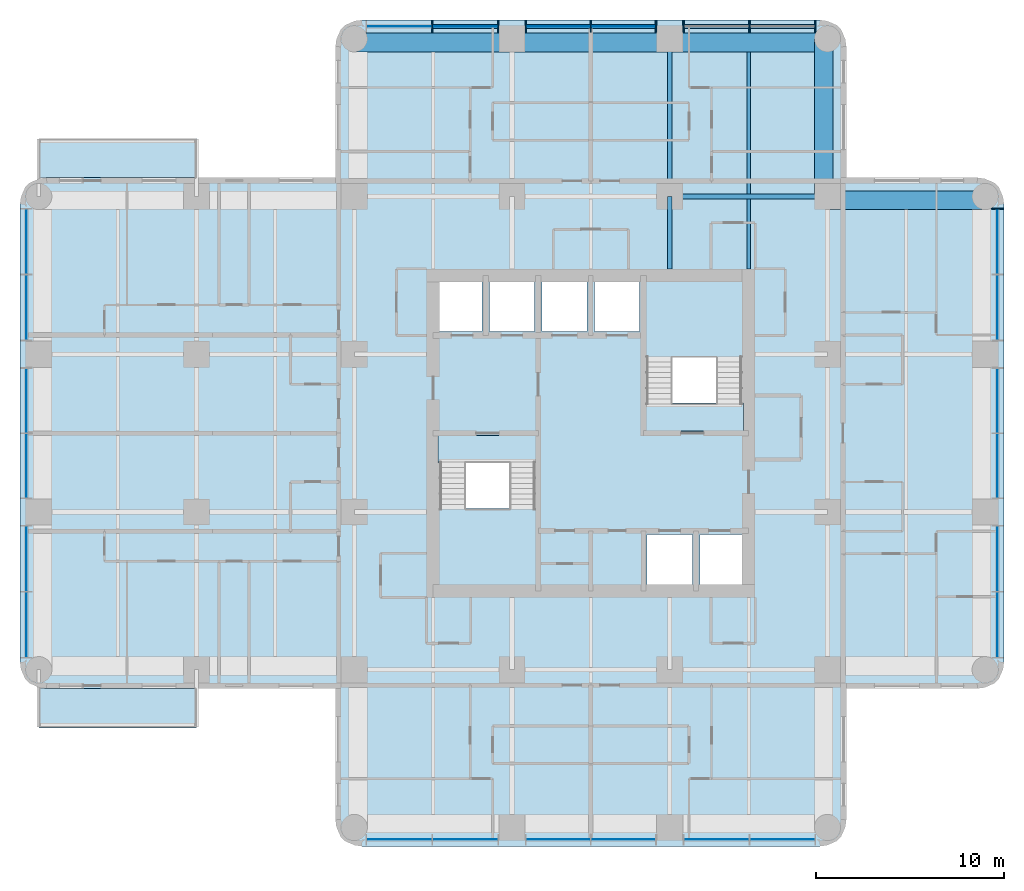
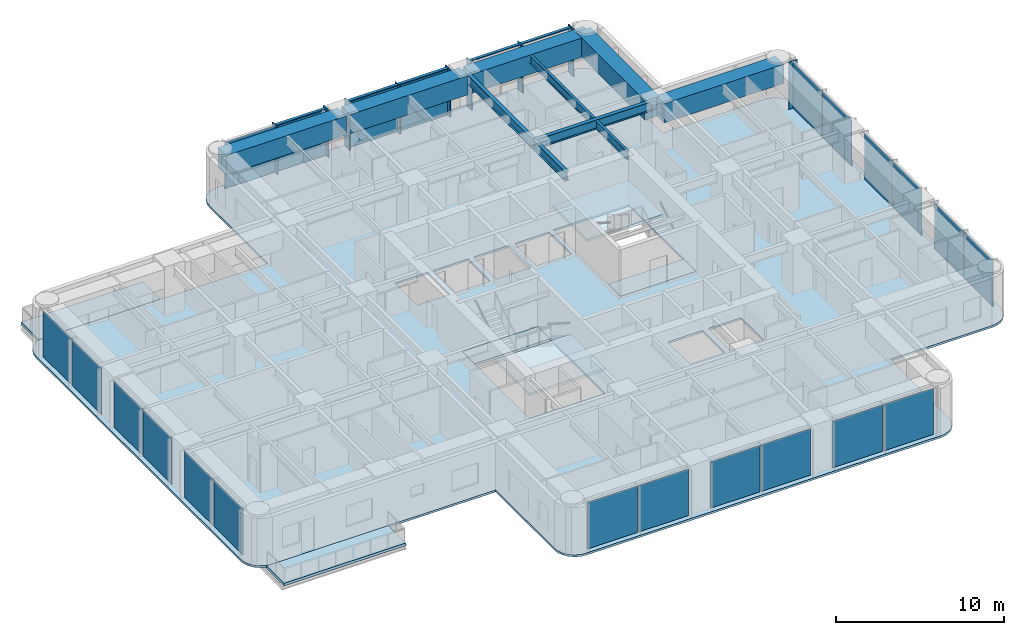
# One storey, part 3 of 11: 22 plates, 14 members, 10 beams, 7 slabs, 6 elements without a shape of their own.
"""IFC4 building model written with IfcOpenShell, lengths in metres."""

from ifc_helpers import new_model, si_unit, direction, frame, origin, origin_2d, place, context, subcontext, project, spatial, polyline, rectangle, i_section, outline, extrude, material, layer, layer_set, material_profile, profile_set, type_object, element, aggregate, save


model = new_model("IFC4")

# Units and contexts
model_context = context("Model", 3, precision=1e-05, world=origin(), true_north=direction((0.0, 1.0)))
body_context = subcontext(model_context, "Body", "Model", "MODEL_VIEW")
ifc_project = project(units=[si_unit("LENGTHUNIT", "METRE"), si_unit("AREAUNIT", "SQUARE_METRE"), si_unit("VOLUMEUNIT", "CUBIC_METRE"), si_unit("PLANEANGLEUNIT", "RADIAN"), si_unit("MASSUNIT", "GRAM", prefix="KILO")], contexts=[model_context])

# Site, building, storey
site_placement = place(None, origin())
site = spatial("IfcSite", under=ifc_project, at=site_placement, CompositionType="ELEMENT")
building_placement = place(site_placement, origin())
building = spatial("IfcBuilding", under=site, at=building_placement, Name="Torre Alcanfor", CompositionType="ELEMENT")
storey_placement = place(building_placement, frame((0.0, 0.0, 215.699951171875)))
storey = spatial("IfcBuildingStorey", under=building, at=storey_placement, Name="L56", CompositionType="ELEMENT", Elevation=215.699951171875)

# Curtain wall, member
ifc_material_1 = material(Name="Aluminium and glass", Category="aluminium")
curtain_wall_type = type_object("IfcCurtainWallType", Name="CW-A unitised apartment glazing with vertical FIN", PredefinedType="NOTDEFINED", material=ifc_material_1)
curtain_wall_1_placement = place(storey_placement, origin())
curtain_wall_1 = element("IfcCurtainWall", 1, at=curtain_wall_1_placement, inside=storey, type_object=curtain_wall_type, Name="Curtain wall CW-A L56 8", PredefinedType="NOTDEFINED")
ifc_material_2 = material(Name="Bronze anodised aluminium", Category="aluminium")
ifc_material_profile_1 = material_profile(ifc_material_2, rectangle(XDim=0.60009765625, YDim=0.06494140625, at=origin_2d()), Name="CW-A mullion 65x600")
ifc_profile_set_1 = profile_set([ifc_material_profile_1], Name="Bronze anodised aluminium")
member_type_1 = type_object("IfcMemberType", Name="CW-A mullion with vertical FIN 65x600", PredefinedType="MULLION", material=ifc_profile_set_1)
member_1_placement = place(storey_placement, frame((51.050048828125, 41.35546875, 0.0), z_axis=(0.0, 0.0, 1.0), x_axis=(-1.0, 0.0, 0.0)))
member_1 = element("IfcMember", 2, at=member_1_placement, type_object=member_type_1, Name="CW-A mullion 3.3", PredefinedType="MULLION", context=body_context, shape_type="SweptSolid", body=[
    extrude(rectangle(XDim=0.60009765625, YDim=0.06494140625, at=origin_2d()), origin(), (0.0, 0.0, 1.0), 3.449951171875),
])

# Curtain wall, members
curtain_wall_2_placement = place(storey_placement, origin())
curtain_wall_2 = element("IfcCurtainWall", 3, at=curtain_wall_2_placement, inside=storey, type_object=curtain_wall_type, Name="Curtain wall CW-A L56 11", PredefinedType="NOTDEFINED")
member_2_placement = place(storey_placement, frame((41.35546875, 51.050048828125, 0.0), z_axis=(0.0, 0.0, 1.0), x_axis=(0.0, -1.0, 0.0)))
member_2 = element("IfcMember", 4, at=member_2_placement, type_object=member_type_1, Name="CW-A mullion 1.1", PredefinedType="MULLION", context=body_context, shape_type="SweptSolid", body=[
    extrude(rectangle(XDim=0.60009765625, YDim=0.06494140625, at=origin_2d()), origin(), (0.0, 0.0, 1.0), 3.449951171875),
])
member_3_placement = place(storey_placement, frame((37.846435546875, 51.050048828125, 0.0), z_axis=(0.0, 0.0, 1.0), x_axis=(0.0, -1.0, 0.0)))
member_3 = element("IfcMember", 5, at=member_3_placement, type_object=member_type_1, Name="CW-A mullion 1.2", PredefinedType="MULLION", context=body_context, shape_type="SweptSolid", body=[
    extrude(rectangle(XDim=0.60009765625, YDim=0.06494140625, at=origin_2d()), origin(), (0.0, 0.0, 1.0), 3.449951171875),
])
member_4_placement = place(storey_placement, frame((34.33740234375, 51.050048828125, 0.0), z_axis=(0.0, 0.0, 1.0), x_axis=(0.0, -1.0, 0.0)))
member_4 = element("IfcMember", 6, at=member_4_placement, type_object=member_type_1, Name="CW-A mullion 1.3", PredefinedType="MULLION", context=body_context, shape_type="SweptSolid", body=[
    extrude(rectangle(XDim=0.60009765625, YDim=0.06494140625, at=origin_2d()), origin(), (0.0, 0.0, 1.0), 3.449951171875),
])
member_5_placement = place(storey_placement, frame((32.862548828125, 51.050048828125, 0.0), z_axis=(0.0, 0.0, 1.0), x_axis=(0.0, -1.0, 0.0)))
member_5 = element("IfcMember", 7, at=member_5_placement, type_object=member_type_1, Name="CW-A mullion 2.1", PredefinedType="MULLION", context=body_context, shape_type="SweptSolid", body=[
    extrude(rectangle(XDim=0.60009765625, YDim=0.06494140625, at=origin_2d()), origin(), (0.0, 0.0, 1.0), 3.449951171875),
])
member_6_placement = place(storey_placement, frame((29.39990234375, 51.050048828125, 0.0), z_axis=(0.0, 0.0, 1.0), x_axis=(0.0, -1.0, 0.0)))
member_6 = element("IfcMember", 8, at=member_6_placement, type_object=member_type_1, Name="CW-A mullion 2.2", PredefinedType="MULLION", context=body_context, shape_type="SweptSolid", body=[
    extrude(rectangle(XDim=0.60009765625, YDim=0.06494140625, at=origin_2d()), origin(), (0.0, 0.0, 1.0), 3.449951171875),
])
member_7_placement = place(storey_placement, frame((25.9375, 51.050048828125, 0.0), z_axis=(0.0, 0.0, 1.0), x_axis=(0.0, -1.0, 0.0)))
member_7 = element("IfcMember", 9, at=member_7_placement, type_object=member_type_1, Name="CW-A mullion 2.3", PredefinedType="MULLION", context=body_context, shape_type="SweptSolid", body=[
    extrude(rectangle(XDim=0.60009765625, YDim=0.06494140625, at=origin_2d()), origin(), (0.0, 0.0, 1.0), 3.449951171875),
])
member_8_placement = place(storey_placement, frame((24.46240234375, 51.050048828125, 0.0), z_axis=(0.0, 0.0, 1.0), x_axis=(0.0, -1.0, 0.0)))
member_8 = element("IfcMember", 10, at=member_8_placement, type_object=member_type_1, Name="CW-A mullion 3.1", PredefinedType="MULLION", context=body_context, shape_type="SweptSolid", body=[
    extrude(rectangle(XDim=0.60009765625, YDim=0.06494140625, at=origin_2d()), origin(), (0.0, 0.0, 1.0), 3.449951171875),
])
member_9_placement = place(storey_placement, frame((20.95361328125, 51.050048828125, 0.0), z_axis=(0.0, 0.0, 1.0), x_axis=(0.0, -1.0, 0.0)))
member_9 = element("IfcMember", 11, at=member_9_placement, type_object=member_type_1, Name="CW-A mullion 3.2", PredefinedType="MULLION", context=body_context, shape_type="SweptSolid", body=[
    extrude(rectangle(XDim=0.60009765625, YDim=0.06494140625, at=origin_2d()), origin(), (0.0, 0.0, 1.0), 3.449951171875),
])
ifc_material_3 = material(Name="Extruded aluminium", Category="aluminium")
ifc_material_profile_2 = material_profile(ifc_material_3, rectangle(XDim=0.199951171875, YDim=0.06494140625, at=origin_2d()), Name="CW-A transom 200x65")
ifc_profile_set_2 = profile_set([ifc_material_profile_2], Name="Extruded aluminium")
member_type_2 = type_object("IfcMemberType", Name="CW-A transom 65x200", PredefinedType="USERDEFINED", material=ifc_profile_set_2)
member_10_placement = place(storey_placement, frame((41.322998046875, 51.050048828125, 3.41748046875), z_axis=(-1.0, 0.0, 0.0), x_axis=(0.0, -1.0, 0.0)))
member_10 = element("IfcMember", 12, at=member_10_placement, type_object=member_type_2, Name="CW-A transom 1.1.2", ObjectType="TRANSOM", PredefinedType="USERDEFINED", context=body_context, shape_type="SweptSolid", body=[
    extrude(rectangle(XDim=0.199951171875, YDim=0.06494140625, at=origin_2d()), origin(), (0.0, 0.0, 1.0), 3.444091796875),
])
member_11_placement = place(storey_placement, frame((37.81396484375, 51.050048828125, 3.41748046875), z_axis=(-1.0, 0.0, 0.0), x_axis=(0.0, -1.0, 0.0)))
member_11 = element("IfcMember", 13, at=member_11_placement, type_object=member_type_2, Name="CW-A transom 1.2.2", ObjectType="TRANSOM", PredefinedType="USERDEFINED", context=body_context, shape_type="SweptSolid", body=[
    extrude(rectangle(XDim=0.199951171875, YDim=0.06494140625, at=origin_2d()), origin(), (0.0, 0.0, 1.0), 3.44384765625),
])
member_12_placement = place(storey_placement, frame((32.830078125, 51.050048828125, 3.41748046875), z_axis=(-1.0, 0.0, 0.0), x_axis=(0.0, -1.0, 0.0)))
member_12 = element("IfcMember", 14, at=member_12_placement, type_object=member_type_2, Name="CW-A transom 2.1.2", ObjectType="TRANSOM", PredefinedType="USERDEFINED", context=body_context, shape_type="SweptSolid", body=[
    extrude(rectangle(XDim=0.199951171875, YDim=0.06494140625, at=origin_2d()), origin(), (0.0, 0.0, 1.0), 3.3974609375),
])
member_13_placement = place(storey_placement, frame((29.367431640625, 51.050048828125, 3.41748046875), z_axis=(-1.0, 0.0, 0.0), x_axis=(0.0, -1.0, 0.0)))
member_13 = element("IfcMember", 15, at=member_13_placement, type_object=member_type_2, Name="CW-A transom 2.2.2", ObjectType="TRANSOM", PredefinedType="USERDEFINED", context=body_context, shape_type="SweptSolid", body=[
    extrude(rectangle(XDim=0.199951171875, YDim=0.06494140625, at=origin_2d()), origin(), (0.0, 0.0, 1.0), 3.3974609375),
])
member_14_placement = place(storey_placement, frame((24.429931640625, 51.050048828125, 3.41748046875), z_axis=(-1.0, 0.0, 0.0), x_axis=(0.0, -1.0, 0.0)))
member_14 = element("IfcMember", 16, at=member_14_placement, type_object=member_type_2, Name="CW-A transom 3.1.2", ObjectType="TRANSOM", PredefinedType="USERDEFINED", context=body_context, shape_type="SweptSolid", body=[
    extrude(rectangle(XDim=0.199951171875, YDim=0.06494140625, at=origin_2d()), origin(), (0.0, 0.0, 1.0), 3.44384765625),
])

# Beams
ifc_material_4 = material(Name="Steel ASTM A992 Grade 50", Category="steel")
ifc_material_profile_3 = material_profile(ifc_material_4, i_section(OverallWidth=0.25390625, OverallDepth=0.683349609375, WebThickness=0.012451171875, FlangeThickness=0.01904296875, at=origin_2d()), Name="W27x94")
ifc_profile_set_3 = profile_set([ifc_material_profile_3], Name="Steel ASTM A992 Grade 50")
beam_type_1 = type_object("IfcBeamType", Name="Girder W27x94", PredefinedType="BEAM", material=ifc_profile_set_3)
for number, where, z_axis, x_axis, name in (
    (17, (33.60009765625, 42.0, 3.1083984375), (1.0, 0.0, 0.0), (0.0, 1.0, 0.0), "Beam 5H-6H under L57"),
    (18, (33.60009765625, 42.0, 3.1083984375), (0.0, 1.0, 0.0), (-1.0, 0.0, 0.0), "Beam 5H-5J under L57"),
):
    element("IfcBeam", number, at=place(storey_placement, frame(where, z_axis=z_axis, x_axis=x_axis)), inside=storey, type_object=beam_type_1, Name=name, PredefinedType="BEAM", context=body_context, shape_type="SweptSolid", body=[
        extrude(i_section(OverallWidth=0.25390625, OverallDepth=0.683349609375, WebThickness=0.012451171875, FlangeThickness=0.01904296875, at=origin_2d()), origin(), (0.0, 0.0, 1.0), 8.39990234375),
    ])
ifc_material_5 = material(Name="Steel ASTM A992 Grade 50", Category="steel")
ifc_material_profile_4 = material_profile(ifc_material_5, i_section(OverallWidth=0.25390625, OverallDepth=0.683349609375, WebThickness=0.012451171875, FlangeThickness=0.01904296875, at=origin_2d()), Name="W27x94")
ifc_profile_set_4 = profile_set([ifc_material_profile_4], Name="Steel ASTM A992 Grade 50")
beam_type_2 = type_object("IfcBeamType", Name="Girder, part bay W27x94", PredefinedType="BEAM", material=ifc_profile_set_4)
beam_1_placement = place(storey_placement, frame((33.60009765625, 42.0, 3.1083984375), z_axis=(0.0, -1.0, 0.0), x_axis=(1.0, 0.0, 0.0)))
element("IfcBeam", 19, at=beam_1_placement, inside=storey, type_object=beam_type_2, Name="Beam 5H-538_15 under L57", PredefinedType="BEAM", context=body_context, shape_type="SweptSolid", body=[
    extrude(i_section(OverallWidth=0.25390625, OverallDepth=0.683349609375, WebThickness=0.012451171875, FlangeThickness=0.01904296875, at=origin_2d()), origin(), (0.0, 0.0, 1.0), 3.85009765625),
])
ifc_material_6 = material(Name="Concrete f'c 70 MPa", Category="concrete")
ifc_material_profile_5 = material_profile(ifc_material_6, rectangle(XDim=1.0, YDim=1.39990234375, at=origin_2d()), Name="1000x1400")
ifc_profile_set_5 = profile_set([ifc_material_profile_5], Name="Concrete f'c 70 MPa")
beam_type_3 = type_object("IfcBeamType", Name="RC perimeter beam 1000x1400", PredefinedType="BEAM", material=ifc_profile_set_5)
for number, where, z_axis, x_axis, name in (
    (20, (42.126953125, 41.800048828125, 2.75), (1.0, 0.0, 0.0), (0.0, 1.0, 0.0), "Beam 6H-7H under L57"),
    (21, (16.800048828125, 50.199951171875, 2.75), (1.0, 0.0, 0.0), (0.0, 1.0, 0.0), "Beam 3J-4J under L57"),
):
    element("IfcBeam", number, at=place(storey_placement, frame(where, z_axis=z_axis, x_axis=x_axis)), inside=storey, type_object=beam_type_3, Name=name, PredefinedType="BEAM", context=body_context, shape_type="SweptSolid", body=[
        extrude(rectangle(XDim=1.0, YDim=1.39990234375, at=origin_2d()), origin(), (0.0, 0.0, 1.0), 8.27294921875),
    ])
beam_2_placement = place(storey_placement, frame((25.326904296875, 50.199951171875, 2.75), z_axis=(1.0, 0.0, 0.0), x_axis=(0.0, 1.0, 0.0)))
element("IfcBeam", 22, at=beam_2_placement, inside=storey, type_object=beam_type_3, Name="Beam 4J-5J under L57", PredefinedType="BEAM", context=body_context, shape_type="SweptSolid", body=[
    extrude(rectangle(XDim=1.0, YDim=1.39990234375, at=origin_2d()), origin(), (0.0, 0.0, 1.0), 8.14599609375),
])
for number, where, z_axis, x_axis, name in (
    (23, (33.72705078125, 50.199951171875, 2.75), (1.0, 0.0, 0.0), (0.0, 1.0, 0.0), "Beam 5J-6J under L57"),
    (24, (41.800048828125, 42.126953125, 2.75), (0.0, 1.0, 0.0), (-1.0, 0.0, 0.0), "Beam 6H-6J under L57"),
):
    element("IfcBeam", number, at=place(storey_placement, frame(where, z_axis=z_axis, x_axis=x_axis)), inside=storey, type_object=beam_type_3, Name=name, PredefinedType="BEAM", context=body_context, shape_type="SweptSolid", body=[
        extrude(rectangle(XDim=1.0, YDim=1.39990234375, at=origin_2d()), origin(), (0.0, 0.0, 1.0), 8.27294921875),
    ])
ifc_material_7 = material(Name="Steel ASTM A992 Grade 50", Category="steel")
ifc_material_profile_6 = material_profile(ifc_material_7, i_section(OverallWidth=0.1787109375, OverallDepth=0.60205078125, WebThickness=0.010986328125, FlangeThickness=0.014892578125, at=origin_2d()), Name="W24x62")
ifc_profile_set_6 = profile_set([ifc_material_profile_6], Name="Steel ASTM A992 Grade 50")
beam_type_4 = type_object("IfcBeamType", Name="Secondary beam W24x62", PredefinedType="BEAM", material=ifc_profile_set_6)
beam_3_placement = place(storey_placement, frame((37.800048828125, 42.126953125, 3.149169921875), z_axis=(0.0, 1.0, 0.0), x_axis=(-1.0, 0.0, 0.0)))
element("IfcBeam", 25, at=beam_3_placement, inside=storey, type_object=beam_type_4, Name="Beam 37_8H-37_8J under L57", PredefinedType="BEAM", context=body_context, shape_type="SweptSolid", body=[
    extrude(i_section(OverallWidth=0.1787109375, OverallDepth=0.60205078125, WebThickness=0.010986328125, FlangeThickness=0.014892578125, at=origin_2d()), origin(), (0.0, 0.0, 1.0), 7.572998046875),
])
ifc_material_8 = material(Name="Steel ASTM A992 Grade 50", Category="steel")
ifc_material_profile_7 = material_profile(ifc_material_8, i_section(OverallWidth=0.1787109375, OverallDepth=0.60205078125, WebThickness=0.010986328125, FlangeThickness=0.014892578125, at=origin_2d()), Name="W24x62")
ifc_profile_set_7 = profile_set([ifc_material_profile_7], Name="Steel ASTM A992 Grade 50")
beam_type_5 = type_object("IfcBeamType", Name="Secondary beam, part bay W24x62", PredefinedType="BEAM", material=ifc_profile_set_7)
beam_4_placement = place(storey_placement, frame((37.800048828125, 38.14990234375, 3.149169921875), z_axis=(0.0, 1.0, 0.0), x_axis=(-1.0, 0.0, 0.0)))
element("IfcBeam", 26, at=beam_4_placement, inside=storey, type_object=beam_type_5, Name="Beam 37_838_15-37_8H under L57", PredefinedType="BEAM", context=body_context, shape_type="SweptSolid", body=[
    extrude(i_section(OverallWidth=0.1787109375, OverallDepth=0.60205078125, WebThickness=0.010986328125, FlangeThickness=0.014892578125, at=origin_2d()), origin(), (0.0, 0.0, 1.0), 3.72314453125),
])

# Slabs
ifc_material_9 = material(Name="Concrete f'c 35 MPa", Category="concrete")
ifc_layer_1 = layer(ifc_material_9, 0.199951171875)
ifc_layer_set_1 = layer_set([ifc_layer_1], Name="Balcony slab 200")
slab_type_1 = type_object("IfcSlabType", Name="Balcony slab 200", PredefinedType="FLOOR", material=ifc_layer_set_1)
slab_1_placement = place(storey_placement, frame((0.0, 0.0, -0.199951171875)))
element("IfcSlab", 27, at=slab_1_placement, inside=storey, type_object=slab_type_1, Name="Balcony L56-W1", PredefinedType="FLOOR", context=body_context, shape_type="SweptSolid", body=[
    extrude(outline(polyline([(8.39990234375, 15.800048828125), (0.0, 15.800048828125), (0.0, 13.699951171875), (8.39990234375, 13.699951171875), (8.39990234375, 15.800048828125)])), origin(), (0.0, 0.0, 1.0), 0.199951171875),
])
slab_2_placement = place(storey_placement, frame((0.0, 0.0, -0.199951171875)))
element("IfcSlab", 28, at=slab_2_placement, inside=storey, type_object=slab_type_1, Name="Balcony L56-W2", PredefinedType="FLOOR", context=body_context, shape_type="SweptSolid", body=[
    extrude(outline(polyline([(8.39990234375, 45.10009765625), (0.0, 45.10009765625), (0.0, 43.0), (8.39990234375, 43.0), (8.39990234375, 45.10009765625)])), origin(), (0.0, 0.0, 1.0), 0.199951171875),
])

# Curtain wall, plates
curtain_wall_3_placement = place(storey_placement, origin())
curtain_wall_3 = element("IfcCurtainWall", 29, at=curtain_wall_3_placement, inside=storey, type_object=curtain_wall_type, Name="Curtain wall CW-A L56 2", PredefinedType="NOTDEFINED")
ifc_material_10 = material(Name="Glass", Category="glass")
ifc_layer_2 = layer(ifc_material_10, 0.028076171875)
ifc_layer_set_2 = layer_set([ifc_layer_2], Name="CW-A clear double glazed unit")
plate_type = type_object("IfcPlateType", Name="CW-A clear double glazed unit", PredefinedType="CURTAIN_PANEL", material=ifc_layer_set_2)
plate_1_placement = place(storey_placement, frame((-0.64990234375, 39.60107421875, 0.0), z_axis=(0.0, 0.0, 1.0), x_axis=(0.0, -1.0, 0.0)))
plate_1 = element("IfcPlate", 30, at=plate_1_placement, type_object=plate_type, Name="CW-A panel 1.1.1", PredefinedType="CURTAIN_PANEL", context=body_context, shape_type="SweptSolid", body=[
    extrude(rectangle(XDim=3.444091796875, YDim=0.028076171875, at=origin_2d()), origin(), (0.0, 0.0, 1.0), 3.385009765625),
])
plate_2_placement = place(storey_placement, frame((-0.64990234375, 36.092041015625, 0.0), z_axis=(0.0, 0.0, 1.0), x_axis=(0.0, -1.0, 0.0)))
plate_2 = element("IfcPlate", 31, at=plate_2_placement, type_object=plate_type, Name="CW-A panel 1.2.1", PredefinedType="CURTAIN_PANEL", context=body_context, shape_type="SweptSolid", body=[
    extrude(rectangle(XDim=3.444091796875, YDim=0.028076171875, at=origin_2d()), origin(), (0.0, 0.0, 1.0), 3.385009765625),
])
plate_3_placement = place(storey_placement, frame((-0.64990234375, 31.13134765625, 0.0), z_axis=(0.0, 0.0, 1.0), x_axis=(0.0, -1.0, 0.0)))
plate_3 = element("IfcPlate", 32, at=plate_3_placement, type_object=plate_type, Name="CW-A panel 2.1.1", PredefinedType="CURTAIN_PANEL", context=body_context, shape_type="SweptSolid", body=[
    extrude(rectangle(XDim=3.3974609375, YDim=0.028076171875, at=origin_2d()), origin(), (0.0, 0.0, 1.0), 3.385009765625),
])
plate_4_placement = place(storey_placement, frame((-0.64990234375, 27.668701171875, 0.0), z_axis=(0.0, 0.0, 1.0), x_axis=(0.0, -1.0, 0.0)))
plate_4 = element("IfcPlate", 33, at=plate_4_placement, type_object=plate_type, Name="CW-A panel 2.2.1", PredefinedType="CURTAIN_PANEL", context=body_context, shape_type="SweptSolid", body=[
    extrude(rectangle(XDim=3.3974609375, YDim=0.028076171875, at=origin_2d()), origin(), (0.0, 0.0, 1.0), 3.385009765625),
])
plate_5_placement = place(storey_placement, frame((-0.64990234375, 22.7080078125, 0.0), z_axis=(0.0, 0.0, 1.0), x_axis=(0.0, -1.0, 0.0)))
plate_5 = element("IfcPlate", 34, at=plate_5_placement, type_object=plate_type, Name="CW-A panel 3.1.1", PredefinedType="CURTAIN_PANEL", context=body_context, shape_type="SweptSolid", body=[
    extrude(rectangle(XDim=3.444091796875, YDim=0.028076171875, at=origin_2d()), origin(), (0.0, 0.0, 1.0), 3.385009765625),
])
plate_6_placement = place(storey_placement, frame((-0.64990234375, 19.198974609375, 0.0), z_axis=(0.0, 0.0, 1.0), x_axis=(0.0, -1.0, 0.0)))
plate_6 = element("IfcPlate", 35, at=plate_6_placement, type_object=plate_type, Name="CW-A panel 3.2.1", PredefinedType="CURTAIN_PANEL", context=body_context, shape_type="SweptSolid", body=[
    extrude(rectangle(XDim=3.444091796875, YDim=0.028076171875, at=origin_2d()), origin(), (0.0, 0.0, 1.0), 3.385009765625),
])
aggregate(curtain_wall_3, [plate_1, plate_2, plate_3, plate_4, plate_5, plate_6])

curtain_wall_4_placement = place(storey_placement, origin())
curtain_wall_4 = element("IfcCurtainWall", 36, at=curtain_wall_4_placement, inside=storey, type_object=curtain_wall_type, Name="Curtain wall CW-A L56 5", PredefinedType="NOTDEFINED")
plate_7_placement = place(storey_placement, frame((19.198974609375, 7.75, 0.0), z_axis=(0.0, 0.0, 1.0), x_axis=(1.0, 0.0, 0.0)))
plate_7 = element("IfcPlate", 37, at=plate_7_placement, type_object=plate_type, Name="CW-A panel 1.1.1", PredefinedType="CURTAIN_PANEL", context=body_context, shape_type="SweptSolid", body=[
    extrude(rectangle(XDim=3.444091796875, YDim=0.028076171875, at=origin_2d()), origin(), (0.0, 0.0, 1.0), 3.385009765625),
])
plate_8_placement = place(storey_placement, frame((22.7080078125, 7.75, 0.0), z_axis=(0.0, 0.0, 1.0), x_axis=(1.0, 0.0, 0.0)))
plate_8 = element("IfcPlate", 38, at=plate_8_placement, type_object=plate_type, Name="CW-A panel 1.2.1", PredefinedType="CURTAIN_PANEL", context=body_context, shape_type="SweptSolid", body=[
    extrude(rectangle(XDim=3.444091796875, YDim=0.028076171875, at=origin_2d()), origin(), (0.0, 0.0, 1.0), 3.385009765625),
])
plate_9_placement = place(storey_placement, frame((27.668701171875, 7.75, 0.0), z_axis=(0.0, 0.0, 1.0), x_axis=(1.0, 0.0, 0.0)))
plate_9 = element("IfcPlate", 39, at=plate_9_placement, type_object=plate_type, Name="CW-A panel 2.1.1", PredefinedType="CURTAIN_PANEL", context=body_context, shape_type="SweptSolid", body=[
    extrude(rectangle(XDim=3.3974609375, YDim=0.028076171875, at=origin_2d()), origin(), (0.0, 0.0, 1.0), 3.385009765625),
])
plate_10_placement = place(storey_placement, frame((31.13134765625, 7.75, 0.0), z_axis=(0.0, 0.0, 1.0), x_axis=(1.0, 0.0, 0.0)))
plate_10 = element("IfcPlate", 40, at=plate_10_placement, type_object=plate_type, Name="CW-A panel 2.2.1", PredefinedType="CURTAIN_PANEL", context=body_context, shape_type="SweptSolid", body=[
    extrude(rectangle(XDim=3.3974609375, YDim=0.028076171875, at=origin_2d()), origin(), (0.0, 0.0, 1.0), 3.385009765625),
])
plate_11_placement = place(storey_placement, frame((36.092041015625, 7.75, 0.0), z_axis=(0.0, 0.0, 1.0), x_axis=(1.0, 0.0, 0.0)))
plate_11 = element("IfcPlate", 41, at=plate_11_placement, type_object=plate_type, Name="CW-A panel 3.1.1", PredefinedType="CURTAIN_PANEL", context=body_context, shape_type="SweptSolid", body=[
    extrude(rectangle(XDim=3.444091796875, YDim=0.028076171875, at=origin_2d()), origin(), (0.0, 0.0, 1.0), 3.385009765625),
])
plate_12_placement = place(storey_placement, frame((39.60107421875, 7.75, 0.0), z_axis=(0.0, 0.0, 1.0), x_axis=(1.0, 0.0, 0.0)))
plate_12 = element("IfcPlate", 42, at=plate_12_placement, type_object=plate_type, Name="CW-A panel 3.2.1", PredefinedType="CURTAIN_PANEL", context=body_context, shape_type="SweptSolid", body=[
    extrude(rectangle(XDim=3.444091796875, YDim=0.028076171875, at=origin_2d()), origin(), (0.0, 0.0, 1.0), 3.385009765625),
])
aggregate(curtain_wall_4, [plate_7, plate_8, plate_9, plate_10, plate_11, plate_12])

# Plate
plate_13_placement = place(storey_placement, frame((51.050048828125, 19.198974609375, 0.0), z_axis=(0.0, 0.0, 1.0), x_axis=(0.0, 1.0, 0.0)))
plate_13 = element("IfcPlate", 43, at=plate_13_placement, type_object=plate_type, Name="CW-A panel 1.1.1", PredefinedType="CURTAIN_PANEL", context=body_context, shape_type="SweptSolid", body=[
    extrude(rectangle(XDim=3.444091796875, YDim=0.028076171875, at=origin_2d()), origin(), (0.0, 0.0, 1.0), 3.385009765625),
])

plate_14_placement = place(storey_placement, frame((51.050048828125, 22.7080078125, 0.0), z_axis=(0.0, 0.0, 1.0), x_axis=(0.0, 1.0, 0.0)))
plate_14 = element("IfcPlate", 44, at=plate_14_placement, type_object=plate_type, Name="CW-A panel 1.2.1", PredefinedType="CURTAIN_PANEL", context=body_context, shape_type="SweptSolid", body=[
    extrude(rectangle(XDim=3.444091796875, YDim=0.028076171875, at=origin_2d()), origin(), (0.0, 0.0, 1.0), 3.385009765625),
])

plate_15_placement = place(storey_placement, frame((51.050048828125, 27.668701171875, 0.0), z_axis=(0.0, 0.0, 1.0), x_axis=(0.0, 1.0, 0.0)))
plate_15 = element("IfcPlate", 45, at=plate_15_placement, type_object=plate_type, Name="CW-A panel 2.1.1", PredefinedType="CURTAIN_PANEL", context=body_context, shape_type="SweptSolid", body=[
    extrude(rectangle(XDim=3.3974609375, YDim=0.028076171875, at=origin_2d()), origin(), (0.0, 0.0, 1.0), 3.385009765625),
])

plate_16_placement = place(storey_placement, frame((51.050048828125, 31.13134765625, 0.0), z_axis=(0.0, 0.0, 1.0), x_axis=(0.0, 1.0, 0.0)))
plate_16 = element("IfcPlate", 46, at=plate_16_placement, type_object=plate_type, Name="CW-A panel 2.2.1", PredefinedType="CURTAIN_PANEL", context=body_context, shape_type="SweptSolid", body=[
    extrude(rectangle(XDim=3.3974609375, YDim=0.028076171875, at=origin_2d()), origin(), (0.0, 0.0, 1.0), 3.385009765625),
])

plate_17_placement = place(storey_placement, frame((51.050048828125, 36.092041015625, 0.0), z_axis=(0.0, 0.0, 1.0), x_axis=(0.0, 1.0, 0.0)))
plate_17 = element("IfcPlate", 47, at=plate_17_placement, type_object=plate_type, Name="CW-A panel 3.1.1", PredefinedType="CURTAIN_PANEL", context=body_context, shape_type="SweptSolid", body=[
    extrude(rectangle(XDim=3.444091796875, YDim=0.028076171875, at=origin_2d()), origin(), (0.0, 0.0, 1.0), 3.385009765625),
])

plate_18_placement = place(storey_placement, frame((51.050048828125, 39.60107421875, 0.0), z_axis=(0.0, 0.0, 1.0), x_axis=(0.0, 1.0, 0.0)))
plate_18 = element("IfcPlate", 48, at=plate_18_placement, type_object=plate_type, Name="CW-A panel 3.2.1", PredefinedType="CURTAIN_PANEL", context=body_context, shape_type="SweptSolid", body=[
    extrude(rectangle(XDim=3.444091796875, YDim=0.028076171875, at=origin_2d()), origin(), (0.0, 0.0, 1.0), 3.385009765625),
])

aggregate(curtain_wall_1, [plate_13, plate_14, plate_15, plate_16, member_1, plate_17, plate_18])

plate_19_placement = place(storey_placement, frame((31.13134765625, 51.050048828125, 0.0), z_axis=(0.0, 0.0, 1.0), x_axis=(-1.0, 0.0, 0.0)))
plate_19 = element("IfcPlate", 49, at=plate_19_placement, type_object=plate_type, Name="CW-A panel 2.1.1", PredefinedType="CURTAIN_PANEL", context=body_context, shape_type="SweptSolid", body=[
    extrude(rectangle(XDim=3.3974609375, YDim=0.028076171875, at=origin_2d()), origin(), (0.0, 0.0, 1.0), 3.385009765625),
])

plate_20_placement = place(storey_placement, frame((27.668701171875, 51.050048828125, 0.0), z_axis=(0.0, 0.0, 1.0), x_axis=(-1.0, 0.0, 0.0)))
plate_20 = element("IfcPlate", 50, at=plate_20_placement, type_object=plate_type, Name="CW-A panel 2.2.1", PredefinedType="CURTAIN_PANEL", context=body_context, shape_type="SweptSolid", body=[
    extrude(rectangle(XDim=3.3974609375, YDim=0.028076171875, at=origin_2d()), origin(), (0.0, 0.0, 1.0), 3.385009765625),
])

plate_21_placement = place(storey_placement, frame((22.7080078125, 51.050048828125, 0.0), z_axis=(0.0, 0.0, 1.0), x_axis=(-1.0, 0.0, 0.0)))
plate_21 = element("IfcPlate", 51, at=plate_21_placement, type_object=plate_type, Name="CW-A panel 3.1.1", PredefinedType="CURTAIN_PANEL", context=body_context, shape_type="SweptSolid", body=[
    extrude(rectangle(XDim=3.444091796875, YDim=0.028076171875, at=origin_2d()), origin(), (0.0, 0.0, 1.0), 3.385009765625),
])

plate_22_placement = place(storey_placement, frame((19.198974609375, 51.050048828125, 0.0), z_axis=(0.0, 0.0, 1.0), x_axis=(-1.0, 0.0, 0.0)))
plate_22 = element("IfcPlate", 52, at=plate_22_placement, type_object=plate_type, Name="CW-A panel 3.2.1", PredefinedType="CURTAIN_PANEL", context=body_context, shape_type="SweptSolid", body=[
    extrude(rectangle(XDim=3.444091796875, YDim=0.028076171875, at=origin_2d()), origin(), (0.0, 0.0, 1.0), 3.385009765625),
])

aggregate(curtain_wall_2, [member_2, member_3, member_4, member_10, member_11, member_5, member_6, member_7, member_12, plate_19, member_13, plate_20, member_8, member_9, member_14, plate_21, plate_22])

# Slab
ifc_material_11 = material(Name="Concrete f'c 35 MPa", Category="concrete")
ifc_layer_3 = layer(ifc_material_11, 0.14990234375)
ifc_layer_set_3 = layer_set([ifc_layer_3], Name="Composite floor 150 on metal deck")
slab_type_2 = type_object("IfcSlabType", Name="Composite floor 150 on metal deck", PredefinedType="FLOOR", material=ifc_layer_set_3)
slab_3_placement = place(storey_placement, frame((0.0, 0.0, -0.14990234375)))
element("IfcSlab", 53, at=slab_3_placement, inside=storey, type_object=slab_type_2, Name="Floor slab L56", PredefinedType="FLOOR", context=body_context, shape_type="SweptSolid", body=[
    extrude(outline(polyline([(15.800048828125, 43.0), (0.39990234375, 43.0), (0.03759765625, 42.952392578125), (-0.300048828125, 42.8125), (-0.58984375, 42.58984375), (-0.8125, 42.300048828125), (-0.952392578125, 41.96240234375), (-1.0, 41.60009765625), (-1.0, 17.199951171875), (-0.952392578125, 16.837646484375), (-0.8125, 16.5), (-0.58984375, 16.210205078125), (-0.300048828125, 15.987548828125), (0.03759765625, 15.84765625), (0.39990234375, 15.800048828125), (15.800048828125, 15.800048828125), (15.800048828125, 8.800048828125), (15.84765625, 8.437744140625), (15.987548828125, 8.10009765625), (16.210205078125, 7.81005859375), (16.5, 7.587646484375), (16.837646484375, 7.44775390625), (17.199951171875, 7.39990234375), (41.60009765625, 7.39990234375), (41.96240234375, 7.44775390625), (42.300048828125, 7.587646484375), (42.58984375, 7.81005859375), (42.8125, 8.10009765625), (42.952392578125, 8.437744140625), (43.0, 8.800048828125), (43.0, 15.800048828125), (50.0, 15.800048828125), (50.3623046875, 15.84765625), (50.699951171875, 15.987548828125), (50.989990234375, 16.210205078125), (51.21240234375, 16.5), (51.352294921875, 16.837646484375), (51.39990234375, 17.199951171875), (51.39990234375, 41.60009765625), (51.352294921875, 41.96240234375), (51.21240234375, 42.300048828125), (50.989990234375, 42.58984375), (50.699951171875, 42.8125), (50.3623046875, 42.952392578125), (50.0, 43.0), (43.0, 43.0), (43.0, 50.0), (42.952392578125, 50.3623046875), (42.8125, 50.699951171875), (42.58984375, 50.989990234375), (42.300048828125, 51.21240234375), (41.96240234375, 51.352294921875), (41.60009765625, 51.39990234375), (17.199951171875, 51.39990234375), (16.837646484375, 51.352294921875), (16.5, 51.21240234375), (16.210205078125, 50.989990234375), (15.987548828125, 50.699951171875), (15.84765625, 50.3623046875), (15.800048828125, 50.0), (15.800048828125, 43.0)]), holes=[polyline([(21.27001953125, 21.27001953125), (26.47998046875, 21.27001953125), (26.47998046875, 29.280029296875), (21.27001953125, 29.280029296875), (21.27001953125, 21.27001953125)]), polyline([(32.320068359375, 29.52001953125), (37.530029296875, 29.52001953125), (37.530029296875, 37.530029296875), (32.320068359375, 37.530029296875), (32.320068359375, 29.52001953125)]), polyline([(32.39990234375, 21.35009765625), (34.800048828125, 21.35009765625), (34.800048828125, 24.0), (32.39990234375, 24.0), (32.39990234375, 21.35009765625)]), polyline([(35.199951171875, 21.35009765625), (37.449951171875, 21.35009765625), (37.449951171875, 24.0), (35.199951171875, 24.0), (35.199951171875, 21.35009765625)]), polyline([(21.35009765625, 34.800048828125), (23.60009765625, 34.800048828125), (23.60009765625, 37.449951171875), (21.35009765625, 37.449951171875), (21.35009765625, 34.800048828125)]), polyline([(24.0, 34.800048828125), (26.39990234375, 34.800048828125), (26.39990234375, 37.449951171875), (24.0, 37.449951171875), (24.0, 34.800048828125)]), polyline([(26.800048828125, 34.800048828125), (29.199951171875, 34.800048828125), (29.199951171875, 37.449951171875), (26.800048828125, 37.449951171875), (26.800048828125, 34.800048828125)]), polyline([(29.60009765625, 34.800048828125), (32.0, 34.800048828125), (32.0, 37.449951171875), (29.60009765625, 37.449951171875), (29.60009765625, 34.800048828125)])]), origin(), (0.0, 0.0, 1.0), 0.14990234375),
])

# Stair, slabs
ifc_material_12 = material(Name="Concrete f'c 35 MPa", Category="concrete")
stair_type_1 = type_object("IfcStairType", Name="Exit stair S1 1400 wide", PredefinedType="HALF_TURN_STAIR", material=ifc_material_12)
stair_1_placement = place(storey_placement, origin())
stair_1 = element("IfcStair", 54, at=stair_1_placement, inside=storey, type_object=stair_type_1, Name="Stair S1 L56 to L57", PredefinedType="HALF_TURN_STAIR")
ifc_material_13 = material(Name="Concrete f'c 35 MPa", Category="concrete")
ifc_layer_4 = layer(ifc_material_13, 0.199951171875)
ifc_layer_set_4 = layer_set([ifc_layer_4], Name="Stair landing 200")
slab_type_3 = type_object("IfcSlabType", Name="Stair landing 200", PredefinedType="LANDING", material=ifc_layer_set_4)
slab_4_placement = place(storey_placement, frame((0.0, 0.0, -0.199951171875)))
slab_4 = element("IfcSlab", 55, at=slab_4_placement, type_object=slab_type_3, Name="S1 landing 1", PredefinedType="LANDING", context=body_context, shape_type="SweptSolid", body=[
    extrude(outline(polyline([(21.27001953125, 27.800048828125), (26.47998046875, 27.800048828125), (26.47998046875, 29.280029296875), (21.27001953125, 29.280029296875), (21.27001953125, 27.800048828125)])), origin(), (0.0, 0.0, 1.0), 0.199951171875),
])
slab_5_placement = place(storey_placement, frame((0.0, 0.0, 1.60009765625)))
slab_5 = element("IfcSlab", 56, at=slab_5_placement, type_object=slab_type_3, Name="S1 landing 2", PredefinedType="LANDING", context=body_context, shape_type="SweptSolid", body=[
    extrude(outline(polyline([(21.27001953125, 21.27001953125), (26.530029296875, 21.27001953125), (26.530029296875, 25.3798828125), (21.27001953125, 25.3798828125), (21.27001953125, 21.27001953125)])), origin(), (0.0, 0.0, 1.0), 0.199951171875),
])
aggregate(stair_1, [slab_4, slab_5])

ifc_material_14 = material(Name="Concrete f'c 35 MPa", Category="concrete")
stair_type_2 = type_object("IfcStairType", Name="Exit stair S2 1400 wide", PredefinedType="HALF_TURN_STAIR", material=ifc_material_14)
stair_2_placement = place(storey_placement, origin())
stair_2 = element("IfcStair", 57, at=stair_2_placement, inside=storey, type_object=stair_type_2, Name="Stair S2 L56 to L57", PredefinedType="HALF_TURN_STAIR")
slab_6_placement = place(storey_placement, frame((0.0, 0.0, -0.199951171875)))
slab_6 = element("IfcSlab", 58, at=slab_6_placement, type_object=slab_type_3, Name="S2 landing 1", PredefinedType="LANDING", context=body_context, shape_type="SweptSolid", body=[
    extrude(outline(polyline([(32.320068359375, 29.52001953125), (37.530029296875, 29.52001953125), (37.530029296875, 31.0), (32.320068359375, 31.0), (32.320068359375, 29.52001953125)])), origin(), (0.0, 0.0, 1.0), 0.199951171875),
])
slab_7_placement = place(storey_placement, frame((0.0, 0.0, 1.60009765625)))
slab_7 = element("IfcSlab", 59, at=slab_7_placement, type_object=slab_type_3, Name="S2 landing 2", PredefinedType="LANDING", context=body_context, shape_type="SweptSolid", body=[
    extrude(outline(polyline([(32.27001953125, 33.419921875), (37.530029296875, 33.419921875), (37.530029296875, 37.530029296875), (32.27001953125, 37.530029296875), (32.27001953125, 33.419921875)])), origin(), (0.0, 0.0, 1.0), 0.199951171875),
])
aggregate(stair_2, [slab_6, slab_7])

save(model, "model.ifc")
